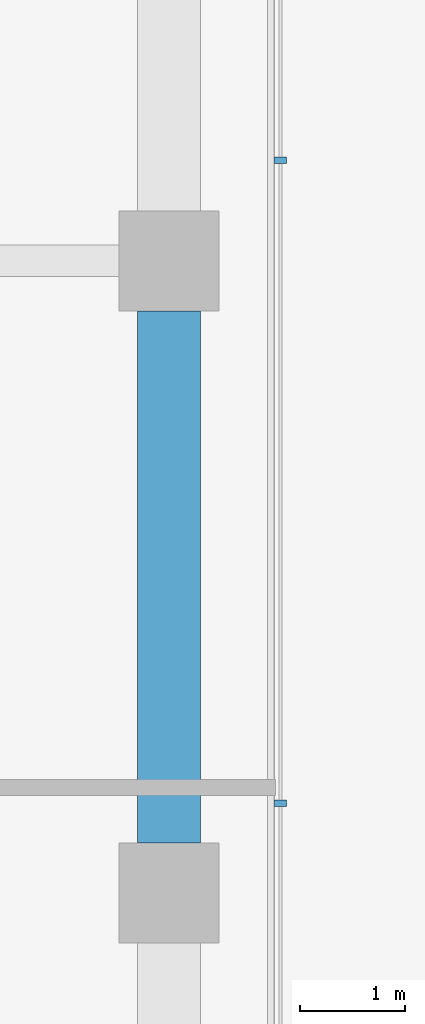
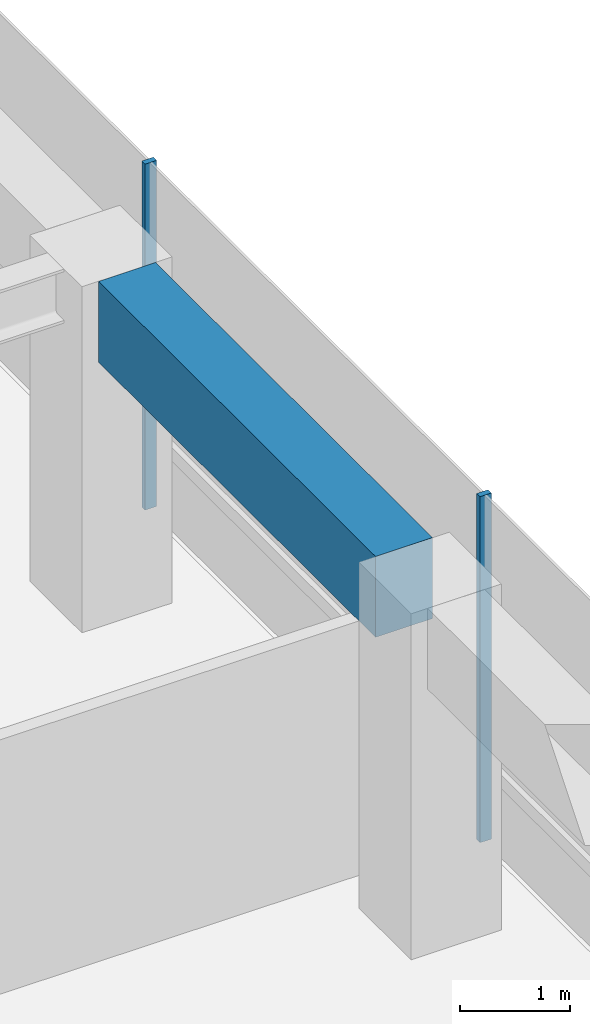
# One storey, part 19 of 29: 2 members, 1 beam, 1 element without a shape of its own.
"""IFC4 building model written with IfcOpenShell, lengths in metres."""

from ifc_helpers import new_model, si_unit, direction, frame, origin, origin_2d, place, context, subcontext, project, spatial, rectangle, extrude, material, layer, layer_set, material_profile, profile_set, type_object, element, aggregate, save


model = new_model("IFC4")

# Units and contexts
model_context = context("Model", 3, precision=1e-05, world=origin(), true_north=direction((0.0, 1.0)))
body_context = subcontext(model_context, "Body", "Model", "MODEL_VIEW")
ifc_project = project(units=[si_unit("LENGTHUNIT", "METRE"), si_unit("AREAUNIT", "SQUARE_METRE"), si_unit("VOLUMEUNIT", "CUBIC_METRE"), si_unit("PLANEANGLEUNIT", "RADIAN"), si_unit("MASSUNIT", "GRAM", prefix="KILO")], contexts=[model_context])

# Site, building, storey
site_placement = place(None, origin())
site = spatial("IfcSite", under=ifc_project, at=site_placement, CompositionType="ELEMENT")
building_placement = place(site_placement, origin())
building = spatial("IfcBuilding", under=site, at=building_placement, Name="Welwitschia Terrace Campus", CompositionType="ELEMENT")
storey_placement = place(building_placement, frame((0.0, 0.0, 58.39990234375)))
storey = spatial("IfcBuildingStorey", under=building, at=storey_placement, Name="L13", CompositionType="ELEMENT", Elevation=58.39990234375)

# Curtain wall, members
ifc_material_1 = material(Name="Bronze anodised aluminium", Category="aluminium")
ifc_layer = layer(ifc_material_1, 0.1201171875)
ifc_layer_set = layer_set([ifc_layer], Name="Bronze anodised aluminium")
curtain_wall_type = type_object("IfcCurtainWallType", Name="Curtain wall CW2 tower 6000", PredefinedType="NOTDEFINED", material=ifc_layer_set)
curtain_wall_placement = place(storey_placement, origin())
curtain_wall = element("IfcCurtainWall", 1, at=curtain_wall_placement, inside=storey, type_object=curtain_wall_type, Name="CW L13.10.0", PredefinedType="NOTDEFINED")
ifc_material_2 = material(Name="Bronze anodised aluminium", Category="aluminium")
ifc_material_profile_1 = material_profile(ifc_material_2, rectangle(XDim=0.1201171875, YDim=0.06005859375, at=origin_2d()))
ifc_profile_set_1 = profile_set([ifc_material_profile_1], Name="Bronze anodised aluminium")
member_type = type_object("IfcMemberType", Name="Mullion 60x120", PredefinedType="MULLION", material=ifc_profile_set_1)
member_1_placement = place(storey_placement, frame((25.05810546875, 50.851318359375, 0.0), z_axis=(0.0, 0.0, 1.0), x_axis=(-1.0, 0.0, 0.0)))
member_1 = element("IfcMember", 2, at=member_1_placement, type_object=member_type, Name="Mullion L13.10.0.4", PredefinedType="MULLION", context=body_context, shape_type="SweptSolid", body=[
    extrude(rectangle(XDim=0.1201171875, YDim=0.06005859375, at=origin_2d()), origin(), (0.0, 0.0, 1.0), 3.85009765625),
])
member_2_placement = place(storey_placement, frame((25.05810546875, 56.95458984375, 0.0), z_axis=(0.0, 0.0, 1.0), x_axis=(-1.0, 0.0, 0.0)))
member_2 = element("IfcMember", 3, at=member_2_placement, type_object=member_type, Name="Mullion L13.10.0.5", PredefinedType="MULLION", context=body_context, shape_type="SweptSolid", body=[
    extrude(rectangle(XDim=0.1201171875, YDim=0.06005859375, at=origin_2d()), origin(), (0.0, 0.0, 1.0), 3.85009765625),
])
aggregate(curtain_wall, [member_1, member_2])

# Beam
ifc_material_3 = material(Name="Concrete C60/75", Category="concrete")
ifc_material_profile_2 = material_profile(ifc_material_3, rectangle(XDim=0.60009765625, YDim=0.89990234375, at=origin_2d()))
ifc_profile_set_2 = profile_set([ifc_material_profile_2], Name="Concrete C60/75")
beam_type = type_object("IfcBeamType", Name="Ring spandrel 600x900", PredefinedType="SPANDREL", material=ifc_profile_set_2)
beam_placement = place(storey_placement, frame((24.0, 50.4755859375, 3.400146484375), z_axis=(0.0, 1.0, 0.0), x_axis=(-1.0, 0.0, 0.0)))
element("IfcBeam", 4, at=beam_placement, inside=storey, type_object=beam_type, Name="Spandrel SP2", PredefinedType="SPANDREL", context=body_context, shape_type="SweptSolid", body=[
    extrude(rectangle(XDim=0.60009765625, YDim=0.89990234375, at=origin_2d()), origin(), (0.0, 0.0, 1.0), 5.048828125),
])

save(model, "model.ifc")
